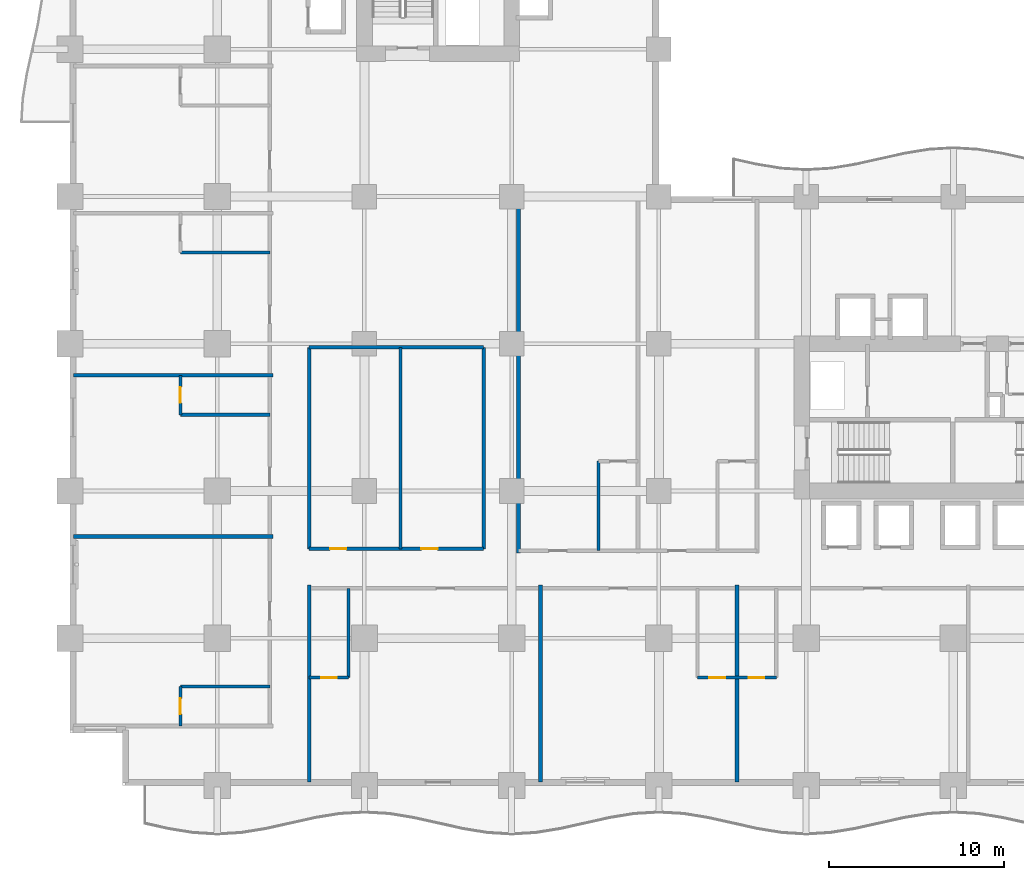
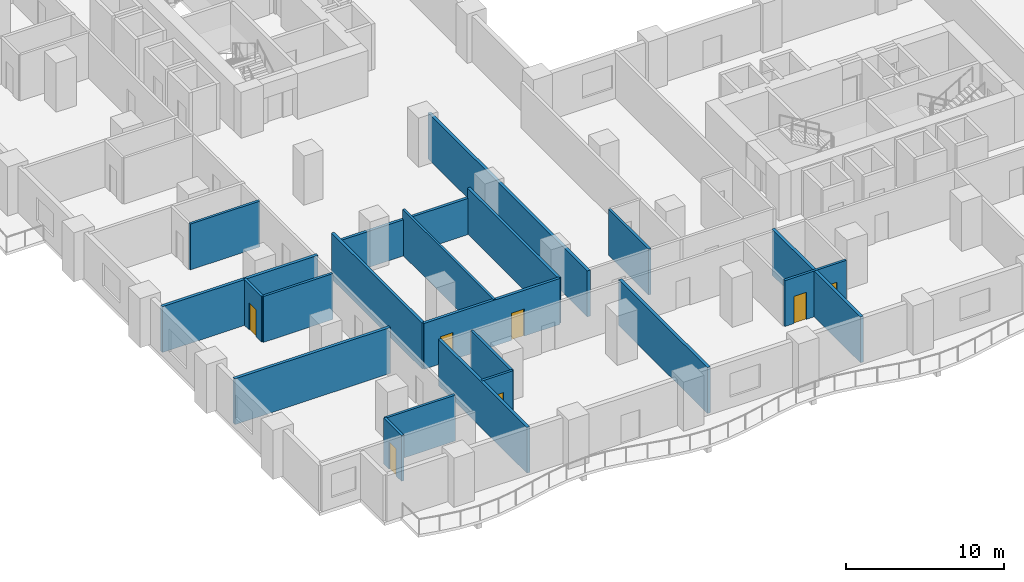
# One storey, part 7 of 24: 20 walls, 7 doors, 7 openings.
"""IFC4 building model written with IfcOpenShell, lengths in metres."""

from ifc_helpers import new_model, si_unit, direction, frame, frame_2d, origin, place, context, subcontext, project, spatial, rectangle, extrude, material, layer, layer_set, type_object, element, fill, save


model = new_model("IFC4")

# Units and contexts
model_context = context("Model", 3, precision=1e-05, world=origin(), true_north=direction((0.0, 1.0)))
body_context = subcontext(model_context, "Body", "Model", "MODEL_VIEW")
ifc_project = project(units=[si_unit("LENGTHUNIT", "METRE"), si_unit("AREAUNIT", "SQUARE_METRE"), si_unit("VOLUMEUNIT", "CUBIC_METRE"), si_unit("PLANEANGLEUNIT", "RADIAN"), si_unit("MASSUNIT", "GRAM", prefix="KILO")], contexts=[model_context])

# Site, building, storey
site_placement = place(None, origin())
site = spatial("IfcSite", under=ifc_project, at=site_placement, CompositionType="ELEMENT")
building_placement = place(site_placement, origin())
building = spatial("IfcBuilding", under=site, at=building_placement, Name="Koriwani Terraces Tower", CompositionType="ELEMENT")
storey_placement = place(building_placement, frame((0.0, 0.0, 47.199951171875)))
storey = spatial("IfcBuildingStorey", under=building, at=storey_placement, Name="L10", CompositionType="ELEMENT", Elevation=47.199951171875)

# Wall, openings, doors
ifc_material_1 = material(Name="Autoclaved Cellular Concrete Blockwork", Category="masonry")
ifc_layer_1 = layer(ifc_material_1, 0.199951171875, Name="Autoclaved Cellular Concrete Blockwork")
ifc_layer_set_1 = layer_set([ifc_layer_1], Name="Autoclaved Cellular Concrete Blockwork")
wall_type_1 = type_object("IfcWallType", Name="WALL_CORRIDOR_200", PredefinedType="PARTITIONING", material=ifc_layer_set_1)
wall_1_placement = place(storey_placement, frame((13.64990234375, 13.5, 0.0), z_axis=(0.0, 0.0, 1.0), x_axis=(1.0, 0.0, 0.0)))
wall_1 = element("IfcWall", 1, at=wall_1_placement, inside=storey, type_object=wall_type_1, Name="L10 Interior Wall WHK-L10-S", PredefinedType="PARTITIONING", context=body_context, shape_type="SweptSolid", body=[
    extrude(rectangle(XDim=9.9501953125, YDim=0.199951171875, at=frame_2d((4.97509765625, 0.0))), origin(), (0.0, 0.0, 1.0), 3.550048828125),
])
opening_1_placement = place(wall_1_placement, frame((1.199951171875, 0.0, 0.0)))
opening_1 = element("IfcOpeningElement", 2, at=opening_1_placement, cuts=wall_1, Name="Opening D-06", PredefinedType="OPENING", context=body_context, shape_type="SweptSolid", body=[
    extrude(rectangle(XDim=0.919921875, YDim=2.10009765625, at=frame_2d((0.4599609375, 1.050048828125))), frame((0.0, 0.10986328125, 0.0), z_axis=(0.0, -1.0, 0.0), x_axis=(1.0, 0.0, 0.0)), (0.0, 0.0, 1.0), 0.219970703125),
])
opening_2_placement = place(wall_1_placement, frame((6.39990234375, 0.0, 0.0)))
opening_2 = element("IfcOpeningElement", 3, at=opening_2_placement, cuts=wall_1, Name="Opening D-06", PredefinedType="OPENING", context=body_context, shape_type="SweptSolid", body=[
    extrude(rectangle(XDim=0.919921875, YDim=2.10009765625, at=frame_2d((0.4599609375, 1.050048828125))), frame((0.0, 0.10986328125, 0.0), z_axis=(0.0, -1.0, 0.0), x_axis=(1.0, 0.0, 0.0)), (0.0, 0.0, 1.0), 0.219970703125),
])
ifc_material_2 = material(Name="Architectural Oak Fire Door", Category="wood")
door_type_1 = type_object("IfcDoorType", Name="DOOR_ROOM_INT_920X2100", OperationType="NOTDEFINED", PredefinedType="DOOR", material=ifc_material_2)
door_1_placement = place(opening_1_placement, origin())
door_1 = element("IfcDoor", 4, at=door_1_placement, inside=storey, type_object=door_type_1, Name="L10 Housekeeping and Linen Room Door", OperationType="SINGLE_SWING_RIGHT", OverallHeight=2.10009765625, OverallWidth=0.919921875, PredefinedType="DOOR", context=body_context, shape_type="SweptSolid", body=[
    extrude(rectangle(XDim=0.919921875, YDim=2.10009765625, at=frame_2d((0.4599609375, 1.050048828125))), frame((0.0, 0.02490234375, 0.0), z_axis=(0.0, -1.0, 0.0), x_axis=(1.0, 0.0, 0.0)), (0.0, 0.0, 1.0), 0.050048828125),
])
fill(opening_1, door_1)
door_2_placement = place(opening_2_placement, origin())
door_2 = element("IfcDoor", 5, at=door_2_placement, inside=storey, type_object=door_type_1, Name="L10 Guest Study Lounge Door", OperationType="SINGLE_SWING_LEFT", OverallHeight=2.10009765625, OverallWidth=0.919921875, PredefinedType="DOOR", context=body_context, shape_type="SweptSolid", body=[
    extrude(rectangle(XDim=0.919921875, YDim=2.10009765625, at=frame_2d((0.4599609375, 1.050048828125))), frame((0.0, 0.02490234375, 0.0), z_axis=(0.0, -1.0, 0.0), x_axis=(1.0, 0.0, 0.0)), (0.0, 0.0, 1.0), 0.050048828125),
])
fill(opening_2, door_2)

# Walls
wall_2_placement = place(storey_placement, frame((13.64990234375, 25.0, 0.0), z_axis=(0.0, 0.0, 1.0), x_axis=(1.0, 0.0, 0.0)))
element("IfcWall", 6, at=wall_2_placement, inside=storey, type_object=wall_type_1, Name="L10 Interior Wall WHK-L10-N", PredefinedType="PARTITIONING", context=body_context, shape_type="SweptSolid", body=[
    extrude(rectangle(XDim=9.9501953125, YDim=0.199951171875, at=frame_2d((4.97509765625, 0.0))), origin(), (0.0, 0.0, 1.0), 2.800048828125),
])
for number, where, z_axis, x_axis, name in (
    (7, (13.64990234375, 13.5, 0.0), (0.0, 0.0, 1.0), (0.0, 1.0, 0.0), "L10 Interior Wall WHK-L10-W"),
    (8, (23.60009765625, 13.5, 0.0), (0.0, 0.0, 1.0), (0.0, 1.0, 0.0), "L10 Interior Wall WHK-L10-E"),
):
    element("IfcWall", number, at=place(storey_placement, frame(where, z_axis=z_axis, x_axis=x_axis)), inside=storey, type_object=wall_type_1, Name=name, PredefinedType="PARTITIONING", context=body_context, shape_type="SweptSolid", body=[
        extrude(rectangle(XDim=11.5, YDim=0.199951171875, at=frame_2d((5.75, 0.0))), origin(), (0.0, 0.0, 1.0), 3.550048828125),
    ])
ifc_layer_2 = layer(ifc_material_1, 0.219970703125, Name="Autoclaved Cellular Concrete Blockwork")
ifc_layer_set_2 = layer_set([ifc_layer_2], Name="Autoclaved Cellular Concrete Blockwork")
wall_type_2 = type_object("IfcWallType", Name="WALL_DEMISING_220", PredefinedType="PARTITIONING", material=ifc_layer_set_2)
wall_3_placement = place(storey_placement, frame((25.60009765625, 13.25, 0.0), z_axis=(0.0, 0.0, 1.0), x_axis=(0.0, 1.0, 0.0)))
element("IfcWall", 9, at=wall_3_placement, inside=storey, type_object=wall_type_2, Name="L10 Interior Wall WDEM-L10-SWI-0", PredefinedType="PARTITIONING", context=body_context, shape_type="SweptSolid", body=[
    extrude(rectangle(XDim=20.179931640625, YDim=0.219970703125, at=frame_2d((10.08984375, 0.0))), origin(), (0.0, 0.0, 1.0), 3.550048828125),
])
for number, where, z_axis, x_axis, name in (
    (10, (0.199951171875, 14.199951171875, 0.0), (0.0, 0.0, 1.0), (1.0, 0.0, 0.0), "L10 Interior Wall WDEM-L10-NW-1"),
    (11, (0.199951171875, 23.39990234375, 0.0), (0.0, 0.0, 1.0), (1.0, 0.0, 0.0), "L10 Interior Wall WDEM-L10-NW-2"),
):
    element("IfcWall", number, at=place(storey_placement, frame(where, z_axis=z_axis, x_axis=x_axis)), inside=storey, type_object=wall_type_2, Name=name, PredefinedType="PARTITIONING", context=body_context, shape_type="SweptSolid", body=[
        extrude(rectangle(XDim=11.380126953125, YDim=0.219970703125, at=frame_2d((5.68994140625, 0.0))), origin(), (0.0, 0.0, 1.0), 3.550048828125),
    ])
for number, where, z_axis, x_axis, name in (
    (12, (13.64990234375, 0.199951171875, 0.0), (0.0, 0.0, 1.0), (0.0, 1.0, 0.0), "L10 Interior Wall WDEM-L10-SW-0"),
    (13, (26.85009765625, 0.199951171875, 0.0), (0.0, 0.0, 1.0), (0.0, 1.0, 0.0), "L10 Interior Wall WDEM-L10-SW-1"),
    (14, (38.050048828125, 0.199951171875, 0.0), (0.0, 0.0, 1.0), (0.0, 1.0, 0.0), "L10 Interior Wall WDEM-L10-SW-2"),
):
    element("IfcWall", number, at=place(storey_placement, frame(where, z_axis=z_axis, x_axis=x_axis)), inside=storey, type_object=wall_type_2, Name=name, PredefinedType="PARTITIONING", context=body_context, shape_type="SweptSolid", body=[
        extrude(rectangle(XDim=11.22998046875, YDim=0.219970703125, at=frame_2d((5.614990234375, 0.0))), origin(), (0.0, 0.0, 1.0), 3.550048828125),
    ])
ifc_material_3 = material(Name="Fire-Rated Acoustic Gypsum Partition", Category="masonry")
ifc_layer_3 = layer(ifc_material_3, 0.179931640625, Name="Fire-Rated Acoustic Gypsum Partition")
ifc_layer_set_3 = layer_set([ifc_layer_3], Name="Fire-Rated Acoustic Gypsum Partition")
wall_type_3 = type_object("IfcWallType", Name="WALL_PLUMBING_180", PredefinedType="PLUMBINGWALL", material=ifc_layer_set_3)
wall_4_placement = place(storey_placement, frame((30.14990234375, 13.39990234375, 0.0), z_axis=(0.0, 0.0, 1.0), x_axis=(0.0, 1.0, 0.0)))
element("IfcWall", 15, at=wall_4_placement, inside=storey, type_object=wall_type_3, Name="L10 Interior Wall WBTH2-L10-SWI-0", PredefinedType="PLUMBINGWALL", context=body_context, shape_type="SweptSolid", body=[
    extrude(rectangle(XDim=5.10009765625, YDim=0.179931640625, at=frame_2d((2.550048828125, 0.0))), origin(), (0.0, 0.0, 1.0), 3.550048828125),
])

# Wall, opening, door
wall_5_placement = place(storey_placement, frame((6.300048828125, 3.39990234375, 0.0), z_axis=(0.0, 0.0, 1.0), x_axis=(0.0, 1.0, 0.0)))
wall_5 = element("IfcWall", 16, at=wall_5_placement, inside=storey, type_object=wall_type_3, Name="L10 Interior Wall WBTH1-L10-NW-0", PredefinedType="PLUMBINGWALL", context=body_context, shape_type="SweptSolid", body=[
    extrude(rectangle(XDim=2.25, YDim=0.179931640625, at=frame_2d((1.125, 0.0))), origin(), (0.0, 0.0, 1.0), 3.550048828125),
])
opening_3_placement = place(wall_5_placement, frame((0.675048828125, 0.0, 0.0)))
opening_3 = element("IfcOpeningElement", 17, at=opening_3_placement, cuts=wall_5, Name="Opening D-07", PredefinedType="OPENING", context=body_context, shape_type="SweptSolid", body=[
    extrude(rectangle(XDim=0.89990234375, YDim=2.10009765625, at=frame_2d((0.449951171875, 1.050048828125))), frame((0.0, 0.10009765625, 0.0), z_axis=(0.0, -1.0, 0.0), x_axis=(1.0, 0.0, 0.0)), (0.0, 0.0, 1.0), 0.199951171875),
])
door_type_2 = type_object("IfcDoorType", Name="DOOR_BATH_INT_900X2100", OperationType="NOTDEFINED", PredefinedType="DOOR", material=ifc_material_2)
door_3_placement = place(opening_3_placement, origin())
door_3 = element("IfcDoor", 18, at=door_3_placement, inside=storey, type_object=door_type_2, Name="En-Suite Bathroom 10NW1 Door", OperationType="SINGLE_SWING_LEFT", OverallHeight=2.10009765625, OverallWidth=0.89990234375, PredefinedType="DOOR", context=body_context, shape_type="SweptSolid", body=[
    extrude(rectangle(XDim=0.89990234375, YDim=2.10009765625, at=frame_2d((0.449951171875, 1.050048828125))), frame((0.0, 0.02490234375, 0.0), z_axis=(0.0, -1.0, 0.0), x_axis=(1.0, 0.0, 0.0)), (0.0, 0.0, 1.0), 0.050048828125),
])
fill(opening_3, door_3)

# Wall
wall_6_placement = place(storey_placement, frame((6.300048828125, 5.64990234375, 0.0), z_axis=(0.0, 0.0, 1.0), x_axis=(1.0, 0.0, 0.0)))
element("IfcWall", 19, at=wall_6_placement, inside=storey, type_object=wall_type_3, Name="L10 Interior Wall WBTH2-L10-NW-0", PredefinedType="PLUMBINGWALL", context=body_context, shape_type="SweptSolid", body=[
    extrude(rectangle(XDim=5.099853515625, YDim=0.179931640625, at=frame_2d((2.5498046875, 0.0))), origin(), (0.0, 0.0, 1.0), 3.550048828125),
])

# Wall, opening, door
wall_7_placement = place(storey_placement, frame((6.300048828125, 21.14990234375, 0.0), z_axis=(0.0, 0.0, 1.0), x_axis=(0.0, 1.0, 0.0)))
wall_7 = element("IfcWall", 20, at=wall_7_placement, inside=storey, type_object=wall_type_3, Name="L10 Interior Wall WBTH1-L10-NW-1", PredefinedType="PLUMBINGWALL", context=body_context, shape_type="SweptSolid", body=[
    extrude(rectangle(XDim=2.25, YDim=0.179931640625, at=frame_2d((1.125, 0.0))), origin(), (0.0, 0.0, 1.0), 3.550048828125),
])
opening_4_placement = place(wall_7_placement, frame((0.675048828125, 0.0, 0.0)))
opening_4 = element("IfcOpeningElement", 21, at=opening_4_placement, cuts=wall_7, Name="Opening D-07", PredefinedType="OPENING", context=body_context, shape_type="SweptSolid", body=[
    extrude(rectangle(XDim=0.89990234375, YDim=2.10009765625, at=frame_2d((0.449951171875, 1.050048828125))), frame((0.0, 0.10009765625, 0.0), z_axis=(0.0, -1.0, 0.0), x_axis=(1.0, 0.0, 0.0)), (0.0, 0.0, 1.0), 0.199951171875),
])
door_4_placement = place(opening_4_placement, origin())
door_4 = element("IfcDoor", 22, at=door_4_placement, inside=storey, type_object=door_type_2, Name="En-Suite Bathroom 10NW2 Door", OperationType="SINGLE_SWING_LEFT", OverallHeight=2.10009765625, OverallWidth=0.89990234375, PredefinedType="DOOR", context=body_context, shape_type="SweptSolid", body=[
    extrude(rectangle(XDim=0.89990234375, YDim=2.10009765625, at=frame_2d((0.449951171875, 1.050048828125))), frame((0.0, 0.02490234375, 0.0), z_axis=(0.0, -1.0, 0.0), x_axis=(1.0, 0.0, 0.0)), (0.0, 0.0, 1.0), 0.050048828125),
])
fill(opening_4, door_4)

# Walls
for number, where, z_axis, x_axis, name in (
    (23, (6.300048828125, 21.14990234375, 0.0), (0.0, 0.0, 1.0), (1.0, 0.0, 0.0), "L10 Interior Wall WBTH2-L10-NW-1"),
    (24, (6.300048828125, 30.39990234375, 0.0), (0.0, 0.0, 1.0), (1.0, 0.0, 0.0), "L10 Interior Wall WBTH2-L10-NW-2"),
):
    element("IfcWall", number, at=place(storey_placement, frame(where, z_axis=z_axis, x_axis=x_axis)), inside=storey, type_object=wall_type_3, Name=name, PredefinedType="PLUMBINGWALL", context=body_context, shape_type="SweptSolid", body=[
        extrude(rectangle(XDim=5.099853515625, YDim=0.179931640625, at=frame_2d((2.5498046875, 0.0))), origin(), (0.0, 0.0, 1.0), 3.550048828125),
    ])

# Wall, opening, door
wall_8_placement = place(storey_placement, frame((13.64990234375, 6.14990234375, 0.0), z_axis=(0.0, 0.0, 1.0), x_axis=(1.0, 0.0, 0.0)))
wall_8 = element("IfcWall", 25, at=wall_8_placement, inside=storey, type_object=wall_type_3, Name="L10 Interior Wall WBTH1-L10-SW-0", PredefinedType="PLUMBINGWALL", context=body_context, shape_type="SweptSolid", body=[
    extrude(rectangle(XDim=2.25, YDim=0.179931640625, at=frame_2d((1.125, 0.0))), origin(), (0.0, 0.0, 1.0), 3.550048828125),
])
opening_5_placement = place(wall_8_placement, frame((0.675048828125, 0.0, 0.0)))
opening_5 = element("IfcOpeningElement", 26, at=opening_5_placement, cuts=wall_8, Name="Opening D-07", PredefinedType="OPENING", context=body_context, shape_type="SweptSolid", body=[
    extrude(rectangle(XDim=0.89990234375, YDim=2.10009765625, at=frame_2d((0.449951171875, 1.050048828125))), frame((0.0, 0.10009765625, 0.0), z_axis=(0.0, -1.0, 0.0), x_axis=(1.0, 0.0, 0.0)), (0.0, 0.0, 1.0), 0.199951171875),
])
door_5_placement = place(opening_5_placement, origin())
door_5 = element("IfcDoor", 27, at=door_5_placement, inside=storey, type_object=door_type_2, Name="En-Suite Bathroom 10SW1 Door", OperationType="SINGLE_SWING_LEFT", OverallHeight=2.10009765625, OverallWidth=0.89990234375, PredefinedType="DOOR", context=body_context, shape_type="SweptSolid", body=[
    extrude(rectangle(XDim=0.89990234375, YDim=2.10009765625, at=frame_2d((0.449951171875, 1.050048828125))), frame((0.0, 0.02490234375, 0.0), z_axis=(0.0, -1.0, 0.0), x_axis=(1.0, 0.0, 0.0)), (0.0, 0.0, 1.0), 0.050048828125),
])
fill(opening_5, door_5)

# Wall
wall_9_placement = place(storey_placement, frame((15.89990234375, 6.14990234375, 0.0), z_axis=(0.0, 0.0, 1.0), x_axis=(0.0, 1.0, 0.0)))
element("IfcWall", 28, at=wall_9_placement, inside=storey, type_object=wall_type_3, Name="L10 Interior Wall WBTH2-L10-SW-0", PredefinedType="PLUMBINGWALL", context=body_context, shape_type="SweptSolid", body=[
    extrude(rectangle(XDim=5.10009765625, YDim=0.179931640625, at=frame_2d((2.550048828125, 0.0))), origin(), (0.0, 0.0, 1.0), 3.550048828125),
])

# Wall, openings, doors
wall_10_placement = place(storey_placement, frame((35.800048828125, 6.14990234375, 0.0), z_axis=(0.0, 0.0, 1.0), x_axis=(1.0, 0.0, 0.0)))
wall_10 = element("IfcWall", 29, at=wall_10_placement, inside=storey, type_object=wall_type_3, Name="L10 Interior Wall WBTH1-L10-SW-1", PredefinedType="PLUMBINGWALL", context=body_context, shape_type="SweptSolid", body=[
    extrude(rectangle(XDim=4.5, YDim=0.179931640625, at=frame_2d((2.25, 0.0))), origin(), (0.0, 0.0, 1.0), 3.550048828125),
])
opening_6_placement = place(wall_10_placement, frame((0.675048828125, 0.0, 0.0)))
opening_6 = element("IfcOpeningElement", 30, at=opening_6_placement, cuts=wall_10, Name="Opening D-07", PredefinedType="OPENING", context=body_context, shape_type="SweptSolid", body=[
    extrude(rectangle(XDim=0.89990234375, YDim=2.10009765625, at=frame_2d((0.449951171875, 1.050048828125))), frame((0.0, 0.10009765625, 0.0), z_axis=(0.0, -1.0, 0.0), x_axis=(1.0, 0.0, 0.0)), (0.0, 0.0, 1.0), 0.199951171875),
])
opening_7_placement = place(wall_10_placement, frame((2.925048828125, 0.0, 0.0)))
opening_7 = element("IfcOpeningElement", 31, at=opening_7_placement, cuts=wall_10, Name="Opening D-07", PredefinedType="OPENING", context=body_context, shape_type="SweptSolid", body=[
    extrude(rectangle(XDim=0.89990234375, YDim=2.10009765625, at=frame_2d((0.449951171875, 1.050048828125))), frame((0.0, 0.10009765625, 0.0), z_axis=(0.0, -1.0, 0.0), x_axis=(1.0, 0.0, 0.0)), (0.0, 0.0, 1.0), 0.199951171875),
])
door_6_placement = place(opening_6_placement, origin())
door_6 = element("IfcDoor", 32, at=door_6_placement, inside=storey, type_object=door_type_2, Name="En-Suite Bathroom 10SW2 Door", OperationType="SINGLE_SWING_LEFT", OverallHeight=2.10009765625, OverallWidth=0.89990234375, PredefinedType="DOOR", context=body_context, shape_type="SweptSolid", body=[
    extrude(rectangle(XDim=0.89990234375, YDim=2.10009765625, at=frame_2d((0.449951171875, 1.050048828125))), frame((0.0, 0.02490234375, 0.0), z_axis=(0.0, -1.0, 0.0), x_axis=(1.0, 0.0, 0.0)), (0.0, 0.0, 1.0), 0.050048828125),
])
fill(opening_6, door_6)
door_7_placement = place(opening_7_placement, origin())
door_7 = element("IfcDoor", 33, at=door_7_placement, inside=storey, type_object=door_type_2, Name="En-Suite Bathroom 10SW3 Door", OperationType="SINGLE_SWING_LEFT", OverallHeight=2.10009765625, OverallWidth=0.89990234375, PredefinedType="DOOR", context=body_context, shape_type="SweptSolid", body=[
    extrude(rectangle(XDim=0.89990234375, YDim=2.10009765625, at=frame_2d((0.449951171875, 1.050048828125))), frame((0.0, 0.02490234375, 0.0), z_axis=(0.0, -1.0, 0.0), x_axis=(1.0, 0.0, 0.0)), (0.0, 0.0, 1.0), 0.050048828125),
])
fill(opening_7, door_7)

# Wall
ifc_layer_4 = layer(ifc_material_3, 0.159912109375, Name="Fire-Rated Acoustic Gypsum Partition")
ifc_layer_set_4 = layer_set([ifc_layer_4], Name="Fire-Rated Acoustic Gypsum Partition")
wall_type_4 = type_object("IfcWallType", Name="WALL_SUITE_160", PredefinedType="PARTITIONING", material=ifc_layer_set_4)
wall_11_placement = place(storey_placement, frame((18.85009765625, 13.5, 0.0), z_axis=(0.0, 0.0, 1.0), x_axis=(0.0, 1.0, 0.0)))
element("IfcWall", 34, at=wall_11_placement, inside=storey, type_object=wall_type_4, Name="L10 Interior Wall WHK-L10-M", PredefinedType="PARTITIONING", context=body_context, shape_type="SweptSolid", body=[
    extrude(rectangle(XDim=11.5, YDim=0.159912109375, at=frame_2d((5.75, 0.0))), origin(), (0.0, 0.0, 1.0), 3.550048828125),
])

save(model, "model.ifc")
